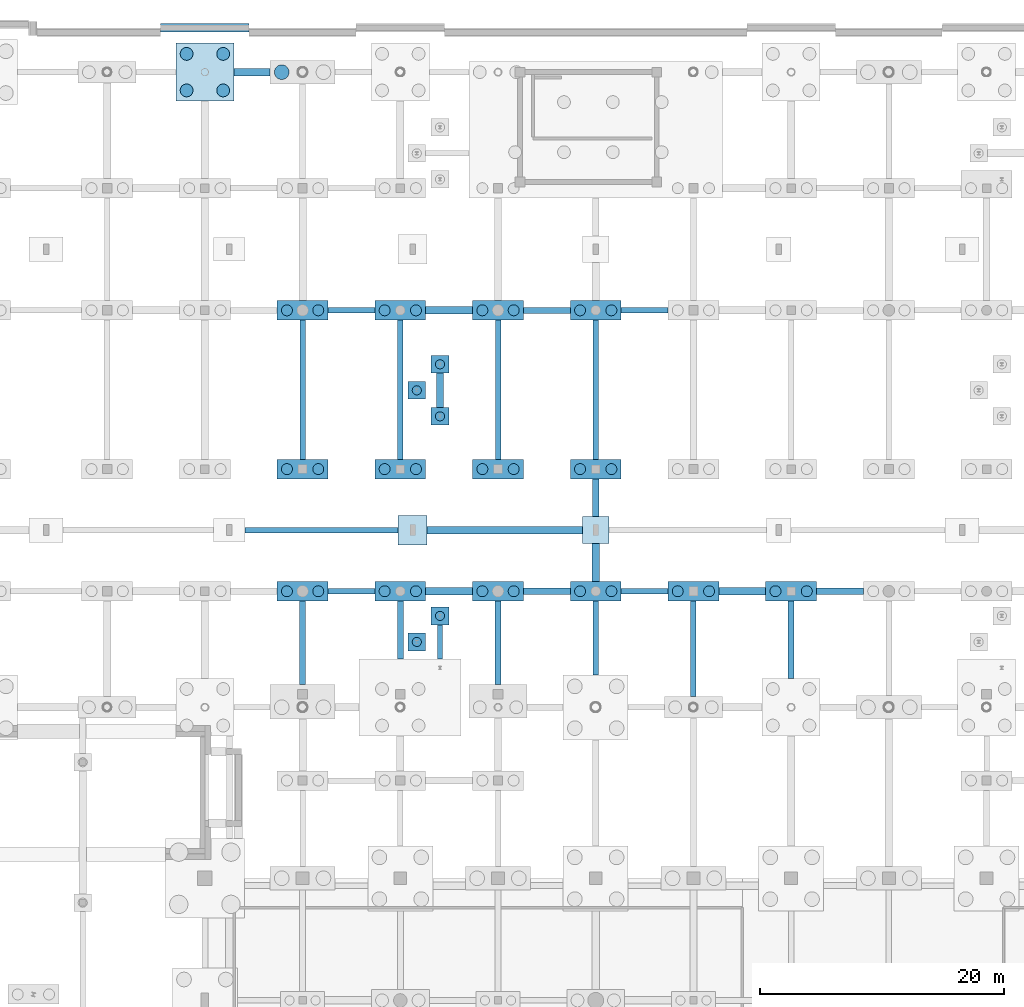
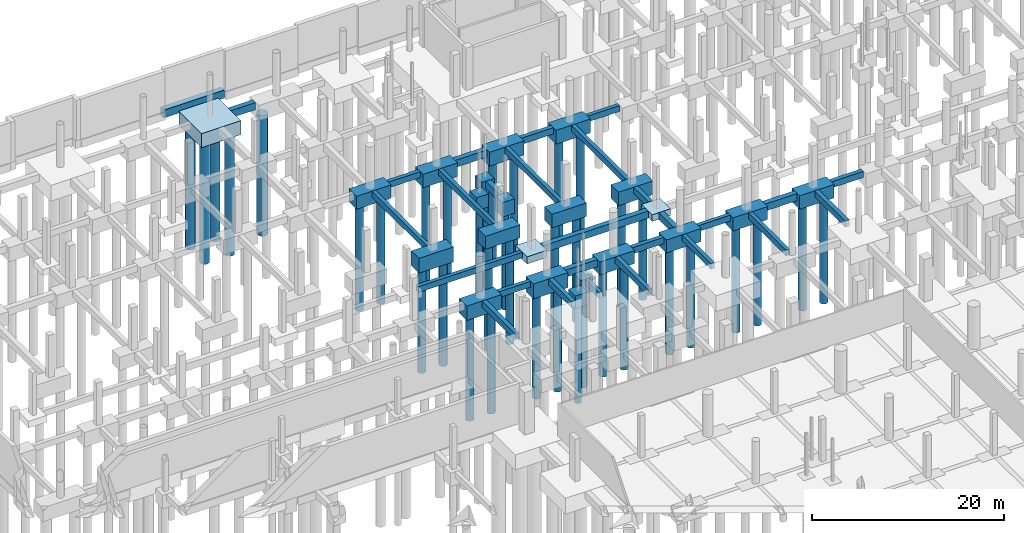
# One storey, part 14 of 65: 50 footings, 38 piles.
"""IFC4 building model written with IfcOpenShell, lengths in metres."""

from ifc_helpers import new_model, si_unit, direction, frame, origin, origin_2d, place, context, subcontext, project, spatial, rectangle, circle, extrude, material, material_profile, profile_set, type_object, element, save


model = new_model("IFC4")

# Units and contexts
model_context = context("Model", 3, precision=1e-05, world=origin(), true_north=direction((0.0, 1.0)))
body_context = subcontext(model_context, "Body", "Model", "MODEL_VIEW")
ifc_project = project(units=[si_unit("LENGTHUNIT", "METRE"), si_unit("AREAUNIT", "SQUARE_METRE"), si_unit("VOLUMEUNIT", "CUBIC_METRE"), si_unit("PLANEANGLEUNIT", "RADIAN"), si_unit("MASSUNIT", "GRAM", prefix="KILO")], contexts=[model_context])

# Site, building, storey
site_placement = place(None, origin())
site = spatial("IfcSite", under=ifc_project, at=site_placement, CompositionType="ELEMENT")
building_placement = place(site_placement, origin())
building = spatial("IfcBuilding", under=site, at=building_placement, Name="Khorjan Park Terminus", CompositionType="ELEMENT")
storey_placement = place(building_placement, frame((0.0, 0.0, -5.4)))
storey = spatial("IfcBuildingStorey", under=building, at=storey_placement, Name="B1", CompositionType="ELEMENT", Elevation=-5.4)

# Footings
ifc_material = material(Name="Concrete C40/50", Category="concrete")
ifc_material_profile_1 = material_profile(ifc_material, rectangle(XDim=0.45, YDim=0.75, at=origin_2d()), Name="RC 450x750")
ifc_profile_set_1 = profile_set([ifc_material_profile_1], Name="Concrete C40/50")
footing_type_1 = type_object("IfcFootingType", Name="FTG-GB-450x750", PredefinedType="FOOTING_BEAM", material=ifc_profile_set_1)
footing_1_placement = place(storey_placement, frame((58.083, 111.5, -0.375), z_axis=(1.0, 0.0, 0.0), x_axis=(0.0, 1.0, 0.0)))
element("IfcFooting", 1, at=footing_1_placement, inside=storey, type_object=footing_type_1, Name="Reinforced concrete ground tie beam FB-07 (113)", PredefinedType="FOOTING_BEAM", context=body_context, shape_type="SweptSolid", body=[
    extrude(rectangle(XDim=0.45, YDim=0.75, at=origin_2d()), origin(), (0.0, 0.0, 1.0), 3.834),
])
footing_2_placement = place(storey_placement, frame((82.082, 111.5, -0.375), z_axis=(1.0, 0.0, 0.0), x_axis=(0.0, 1.0, 0.0)))
element("IfcFooting", 2, at=footing_2_placement, inside=storey, type_object=footing_type_1, Name="Reinforced concrete ground tie beam FB-07 (116)", PredefinedType="FOOTING_BEAM", context=body_context, shape_type="SweptSolid", body=[
    extrude(rectangle(XDim=0.45, YDim=0.75, at=origin_2d()), origin(), (0.0, 0.0, 1.0), 3.836),
])
footing_3_placement = place(storey_placement, frame((51.3, 116.5, -0.375), z_axis=(1.0, 0.0, 0.0), x_axis=(0.0, 1.0, 0.0)))
element("IfcFooting", 3, at=footing_3_placement, inside=storey, type_object=footing_type_1, Name="Reinforced concrete ground tie beam FB-07 (128)", PredefinedType="FOOTING_BEAM", context=body_context, shape_type="SweptSolid", body=[
    extrude(rectangle(XDim=0.45, YDim=0.75, at=origin_2d()), origin(), (0.0, 0.0, 1.0), 12.5),
])
footing_4_placement = place(storey_placement, frame((58.083, 134.5, -0.375), z_axis=(1.0, 0.0, 0.0), x_axis=(0.0, 1.0, 0.0)))
element("IfcFooting", 4, at=footing_4_placement, inside=storey, type_object=footing_type_1, Name="Reinforced concrete ground tie beam FB-07 (140)", PredefinedType="FOOTING_BEAM", context=body_context, shape_type="SweptSolid", body=[
    extrude(rectangle(XDim=0.45, YDim=0.75, at=origin_2d()), origin(), (0.0, 0.0, 1.0), 3.834),
])
footing_5_placement = place(storey_placement, frame((82.082, 134.5, -0.375), z_axis=(1.0, 0.0, 0.0), x_axis=(0.0, 1.0, 0.0)))
element("IfcFooting", 5, at=footing_5_placement, inside=storey, type_object=footing_type_1, Name="Reinforced concrete ground tie beam FB-07 (143)", PredefinedType="FOOTING_BEAM", context=body_context, shape_type="SweptSolid", body=[
    extrude(rectangle(XDim=0.45, YDim=0.75, at=origin_2d()), origin(), (0.0, 0.0, 1.0), 3.836),
])
for number, where, z_axis, x_axis, name in (
    (6, (56.0, 122.3, -0.375), (0.0, 1.0, 0.0), (-1.0, 0.0, 0.0), "Reinforced concrete ground tie beam FB-07 (251)"),
    (7, (64.0, 122.3, -0.375), (0.0, 1.0, 0.0), (-1.0, 0.0, 0.0), "Reinforced concrete ground tie beam FB-07 (269)"),
):
    element("IfcFooting", number, at=place(storey_placement, frame(where, z_axis=z_axis, x_axis=x_axis)), inside=storey, type_object=footing_type_1, Name=name, PredefinedType="FOOTING_BEAM", context=body_context, shape_type="SweptSolid", body=[
        extrude(rectangle(XDim=0.45, YDim=0.75, at=origin_2d()), origin(), (0.0, 0.0, 1.0), 11.4),
    ])
footing_6_placement = place(storey_placement, frame((67.25, 105.945, -0.375), z_axis=(0.0, 1.0, 0.0), x_axis=(-1.0, 0.0, 0.0)))
element("IfcFooting", 8, at=footing_6_placement, inside=storey, type_object=footing_type_1, Name="Reinforced concrete ground tie beam FB-07 (272)", PredefinedType="FOOTING_BEAM", context=body_context, shape_type="SweptSolid", body=[
    extrude(rectangle(XDim=0.45, YDim=0.75, at=origin_2d()), origin(), (0.0, 0.0, 1.0), 2.81),
])
footing_7_placement = place(storey_placement, frame((72.0, 122.3, -0.375), z_axis=(0.0, 1.0, 0.0), x_axis=(-1.0, 0.0, 0.0)))
element("IfcFooting", 9, at=footing_7_placement, inside=storey, type_object=footing_type_1, Name="Reinforced concrete ground tie beam FB-07 (281)", PredefinedType="FOOTING_BEAM", context=body_context, shape_type="SweptSolid", body=[
    extrude(rectangle(XDim=0.45, YDim=0.75, at=origin_2d()), origin(), (0.0, 0.0, 1.0), 11.4),
])
footing_8_placement = place(storey_placement, frame((80.0, 104.66, -0.375), z_axis=(0.0, 1.0, 0.0), x_axis=(-1.0, 0.0, 0.0)))
element("IfcFooting", 10, at=footing_8_placement, inside=storey, type_object=footing_type_1, Name="Reinforced concrete ground tie beam FB-07 (296)", PredefinedType="FOOTING_BEAM", context=body_context, shape_type="SweptSolid", body=[
    extrude(rectangle(XDim=0.45, YDim=0.75, at=origin_2d()), origin(), (0.0, 0.0, 1.0), 6.04),
])
footing_9_placement = place(storey_placement, frame((80.0, 122.3, -0.375), z_axis=(0.0, 1.0, 0.0), x_axis=(-1.0, 0.0, 0.0)))
element("IfcFooting", 11, at=footing_9_placement, inside=storey, type_object=footing_type_1, Name="Reinforced concrete ground tie beam FB-07 (299)", PredefinedType="FOOTING_BEAM", context=body_context, shape_type="SweptSolid", body=[
    extrude(rectangle(XDim=0.45, YDim=0.75, at=origin_2d()), origin(), (0.0, 0.0, 1.0), 11.4),
])
footing_10_placement = place(storey_placement, frame((88.0, 102.875, -0.375), z_axis=(0.0, 1.0, 0.0), x_axis=(-1.0, 0.0, 0.0)))
element("IfcFooting", 12, at=footing_10_placement, inside=storey, type_object=footing_type_1, Name="Reinforced concrete ground tie beam FB-07 (311)", PredefinedType="FOOTING_BEAM", context=body_context, shape_type="SweptSolid", body=[
    extrude(rectangle(XDim=0.45, YDim=0.75, at=origin_2d()), origin(), (0.0, 0.0, 1.0), 7.825),
])
ifc_material_profile_2 = material_profile(ifc_material, rectangle(XDim=0.5, YDim=0.8, at=origin_2d()), Name="RC 500x800")
ifc_profile_set_2 = profile_set([ifc_material_profile_2], Name="Concrete C40/50")
footing_type_2 = type_object("IfcFootingType", Name="FTG-GB-500x800", PredefinedType="FOOTING_BEAM", material=ifc_profile_set_2)
for number, where, z_axis, x_axis, name in (
    (13, (74.082, 111.5, -0.4), (1.0, 0.0, 0.0), (0.0, 1.0, 0.0), "Reinforced concrete ground tie beam FB-08 (115)"),
    (14, (98.082, 111.5, -0.4), (1.0, 0.0, 0.0), (0.0, 1.0, 0.0), "Reinforced concrete ground tie beam FB-08 (118)"),
    (15, (74.082, 134.5, -0.4), (1.0, 0.0, 0.0), (0.0, 1.0, 0.0), "Reinforced concrete ground tie beam FB-08 (142)"),
):
    element("IfcFooting", number, at=place(storey_placement, frame(where, z_axis=z_axis, x_axis=x_axis)), inside=storey, type_object=footing_type_2, Name=name, PredefinedType="FOOTING_BEAM", context=body_context, shape_type="SweptSolid", body=[
        extrude(rectangle(XDim=0.5, YDim=0.8, at=origin_2d()), origin(), (0.0, 0.0, 1.0), 3.836),
    ])
footing_11_placement = place(storey_placement, frame((56.0, 103.86, -0.4), z_axis=(0.0, 1.0, 0.0), x_axis=(-1.0, 0.0, 0.0)))
element("IfcFooting", 16, at=footing_11_placement, inside=storey, type_object=footing_type_2, Name="Reinforced concrete ground tie beam FB-08 (250)", PredefinedType="FOOTING_BEAM", context=body_context, shape_type="SweptSolid", body=[
    extrude(rectangle(XDim=0.5, YDim=0.8, at=origin_2d()), origin(), (0.0, 0.0, 1.0), 6.84),
])
footing_12_placement = place(storey_placement, frame((64.0, 105.945, -0.4), z_axis=(0.0, 1.0, 0.0), x_axis=(-1.0, 0.0, 0.0)))
element("IfcFooting", 17, at=footing_12_placement, inside=storey, type_object=footing_type_2, Name="Reinforced concrete ground tie beam FB-08 (268)", PredefinedType="FOOTING_BEAM", context=body_context, shape_type="SweptSolid", body=[
    extrude(rectangle(XDim=0.5, YDim=0.8, at=origin_2d()), origin(), (0.0, 0.0, 1.0), 4.755),
])
footing_13_placement = place(storey_placement, frame((72.0, 103.86, -0.4), z_axis=(0.0, 1.0, 0.0), x_axis=(-1.0, 0.0, 0.0)))
element("IfcFooting", 18, at=footing_13_placement, inside=storey, type_object=footing_type_2, Name="Reinforced concrete ground tie beam FB-08 (280)", PredefinedType="FOOTING_BEAM", context=body_context, shape_type="SweptSolid", body=[
    extrude(rectangle(XDim=0.5, YDim=0.8, at=origin_2d()), origin(), (0.0, 0.0, 1.0), 6.84),
])
footing_14_placement = place(storey_placement, frame((80.0, 117.6, -0.4), z_axis=(0.0, 1.0, 0.0), x_axis=(-1.0, 0.0, 0.0)))
element("IfcFooting", 19, at=footing_14_placement, inside=storey, type_object=footing_type_2, Name="Reinforced concrete ground tie beam FB-08 (298)", PredefinedType="FOOTING_BEAM", context=body_context, shape_type="SweptSolid", body=[
    extrude(rectangle(XDim=0.5, YDim=0.8, at=origin_2d()), origin(), (0.0, 0.0, 1.0), 3.1),
])
footing_15_placement = place(storey_placement, frame((96.0, 104.371, -0.4), z_axis=(0.0, 1.0, 0.0), x_axis=(-1.0, 0.0, 0.0)))
element("IfcFooting", 20, at=footing_15_placement, inside=storey, type_object=footing_type_2, Name="Reinforced concrete ground tie beam FB-08 (325)", PredefinedType="FOOTING_BEAM", context=body_context, shape_type="SweptSolid", body=[
    extrude(rectangle(XDim=0.5, YDim=0.8, at=origin_2d()), origin(), (0.0, 0.0, 1.0), 6.329),
])
ifc_material_profile_3 = material_profile(ifc_material, rectangle(XDim=0.6, YDim=0.9, at=origin_2d()), Name="RC 600x900")
ifc_profile_set_3 = profile_set([ifc_material_profile_3], Name="Concrete C40/50")
footing_type_3 = type_object("IfcFootingType", Name="FTG-GB-600x900", PredefinedType="FOOTING_BEAM", material=ifc_profile_set_3)
for number, where, z_axis, x_axis, name in (
    (21, (66.082, 111.5, -0.45), (1.0, 0.0, 0.0), (0.0, 1.0, 0.0), "Reinforced concrete ground tie beam FB-09 (114)"),
    (22, (90.082, 111.5, -0.45), (1.0, 0.0, 0.0), (0.0, 1.0, 0.0), "Reinforced concrete ground tie beam FB-09 (117)"),
):
    element("IfcFooting", number, at=place(storey_placement, frame(where, z_axis=z_axis, x_axis=x_axis)), inside=storey, type_object=footing_type_3, Name=name, PredefinedType="FOOTING_BEAM", context=body_context, shape_type="SweptSolid", body=[
        extrude(rectangle(XDim=0.6, YDim=0.9, at=origin_2d()), origin(), (0.0, 0.0, 1.0), 3.836),
    ])
footing_16_placement = place(storey_placement, frame((66.2, 116.5, -0.45), z_axis=(1.0, 0.0, 0.0), x_axis=(0.0, 1.0, 0.0)))
element("IfcFooting", 23, at=footing_16_placement, inside=storey, type_object=footing_type_3, Name="Reinforced concrete ground tie beam FB-09 (129)", PredefinedType="FOOTING_BEAM", context=body_context, shape_type="SweptSolid", body=[
    extrude(rectangle(XDim=0.6, YDim=0.9, at=origin_2d()), origin(), (0.0, 0.0, 1.0), 12.7),
])
footing_17_placement = place(storey_placement, frame((66.082, 134.5, -0.45), z_axis=(1.0, 0.0, 0.0), x_axis=(0.0, 1.0, 0.0)))
element("IfcFooting", 24, at=footing_17_placement, inside=storey, type_object=footing_type_3, Name="Reinforced concrete ground tie beam FB-09 (141)", PredefinedType="FOOTING_BEAM", context=body_context, shape_type="SweptSolid", body=[
    extrude(rectangle(XDim=0.6, YDim=0.9, at=origin_2d()), origin(), (0.0, 0.0, 1.0), 3.836),
])
footing_18_placement = place(storey_placement, frame((50.371, 154.0, -0.45), z_axis=(1.0, 0.0, 0.0), x_axis=(0.0, 1.0, 0.0)))
element("IfcFooting", 25, at=footing_18_placement, inside=storey, type_object=footing_type_3, Name="Reinforced concrete ground tie beam FB-09 (171)", PredefinedType="FOOTING_BEAM", context=body_context, shape_type="SweptSolid", body=[
    extrude(rectangle(XDim=0.6, YDim=0.9, at=origin_2d()), origin(), (0.0, 0.0, 1.0), 2.969),
])
footing_19_placement = place(storey_placement, frame((67.25, 126.545, -0.45), z_axis=(0.0, 1.0, 0.0), x_axis=(-1.0, 0.0, 0.0)))
element("IfcFooting", 26, at=footing_19_placement, inside=storey, type_object=footing_type_3, Name="Reinforced concrete ground tie beam FB-09 (273)", PredefinedType="FOOTING_BEAM", context=body_context, shape_type="SweptSolid", body=[
    extrude(rectangle(XDim=0.6, YDim=0.9, at=origin_2d()), origin(), (0.0, 0.0, 1.0), 2.81),
])
footing_20_placement = place(storey_placement, frame((80.0, 112.3, -0.45), z_axis=(0.0, 1.0, 0.0), x_axis=(-1.0, 0.0, 0.0)))
element("IfcFooting", 27, at=footing_20_placement, inside=storey, type_object=footing_type_3, Name="Reinforced concrete ground tie beam FB-09 (297)", PredefinedType="FOOTING_BEAM", context=body_context, shape_type="SweptSolid", body=[
    extrude(rectangle(XDim=0.6, YDim=0.9, at=origin_2d()), origin(), (0.0, 0.0, 1.0), 3.1),
])
footing_type_4 = type_object("IfcFootingType", Name="FTG-PAD-2200", PredefinedType="PAD_FOOTING", material=ifc_material)
footing_21_placement = place(storey_placement, frame((80.0, 116.5, -0.85), z_axis=(0.0, 0.0, 1.0), x_axis=(1.0, 0.0, 0.0)))
element("IfcFooting", 28, at=footing_21_placement, inside=storey, type_object=footing_type_4, Name="Reinforced concrete pad footing PF-22 (6)", PredefinedType="PAD_FOOTING", context=body_context, shape_type="SweptSolid", body=[
    extrude(rectangle(XDim=2.2, YDim=2.2, at=origin_2d()), origin(), (0.0, 0.0, 1.0), 0.85),
])
footing_type_5 = type_object("IfcFootingType", Name="FTG-PAD-2400", PredefinedType="PAD_FOOTING", material=ifc_material)
footing_22_placement = place(storey_placement, frame((65.0, 116.5, -0.9), z_axis=(0.0, 0.0, 1.0), x_axis=(1.0, 0.0, 0.0)))
element("IfcFooting", 29, at=footing_22_placement, inside=storey, type_object=footing_type_5, Name="Reinforced concrete pad footing PF-24 (5)", PredefinedType="PAD_FOOTING", context=body_context, shape_type="SweptSolid", body=[
    extrude(rectangle(XDim=2.4, YDim=2.4, at=origin_2d()), origin(), (0.0, 0.0, 1.0), 0.9),
])
footing_type_6 = type_object("IfcFootingType", Name="FTG-PC-02", PredefinedType="PILE_CAP", material=ifc_material)
footing_23_placement = place(storey_placement, frame((56.0, 121.5, -1.9), z_axis=(0.0, 0.0, 1.0), x_axis=(1.0, 0.0, 0.0)))
element("IfcFooting", 30, at=footing_23_placement, inside=storey, type_object=footing_type_6, Name="Reinforced concrete pile cap PC-02 (89)", PredefinedType="PILE_CAP", context=body_context, shape_type="SweptSolid", body=[
    extrude(rectangle(XDim=4.166, YDim=1.6, at=origin_2d()), origin(), (0.0, 0.0, 1.0), 1.9),
])
footing_24_placement = place(storey_placement, frame((63.9995, 111.5, -1.9), z_axis=(0.0, 0.0, 1.0), x_axis=(1.0, 0.0, 0.0)))
element("IfcFooting", 31, at=footing_24_placement, inside=storey, type_object=footing_type_6, Name="Reinforced concrete pile cap PC-02 (110)", PredefinedType="PILE_CAP", context=body_context, shape_type="SweptSolid", body=[
    extrude(rectangle(XDim=4.165, YDim=1.6, at=origin_2d()), origin(), (0.0, 0.0, 1.0), 1.9),
])
footing_type_7 = type_object("IfcFootingType", Name="FTG-PC-06", PredefinedType="PILE_CAP", material=ifc_material)
footing_25_placement = place(storey_placement, frame((56.0, 111.5, -1.84), z_axis=(0.0, 0.0, 1.0), x_axis=(1.0, 0.0, 0.0)))
element("IfcFooting", 32, at=footing_25_placement, inside=storey, type_object=footing_type_7, Name="Reinforced concrete pile cap PC-06 (88)", PredefinedType="PILE_CAP", context=body_context, shape_type="SweptSolid", body=[
    extrude(rectangle(XDim=4.166, YDim=1.6, at=origin_2d()), origin(), (0.0, 0.0, 1.0), 1.84),
])
footing_type_8 = type_object("IfcFootingType", Name="FTG-PC-07", PredefinedType="PILE_CAP", material=ifc_material)
footing_26_placement = place(storey_placement, frame((56.0, 134.5, -1.66), z_axis=(0.0, 0.0, 1.0), x_axis=(1.0, 0.0, 0.0)))
element("IfcFooting", 33, at=footing_26_placement, inside=storey, type_object=footing_type_8, Name="Reinforced concrete pile cap PC-07 (90)", PredefinedType="PILE_CAP", context=body_context, shape_type="SweptSolid", body=[
    extrude(rectangle(XDim=4.166, YDim=1.6, at=origin_2d()), origin(), (0.0, 0.0, 1.0), 1.66),
])
footing_27_placement = place(storey_placement, frame((63.9995, 121.5, -1.66), z_axis=(0.0, 0.0, 1.0), x_axis=(1.0, 0.0, 0.0)))
element("IfcFooting", 34, at=footing_27_placement, inside=storey, type_object=footing_type_8, Name="Reinforced concrete pile cap PC-07 (111)", PredefinedType="PILE_CAP", context=body_context, shape_type="SweptSolid", body=[
    extrude(rectangle(XDim=4.165, YDim=1.6, at=origin_2d()), origin(), (0.0, 0.0, 1.0), 1.66),
])
footing_type_9 = type_object("IfcFootingType", Name="FTG-PC-08", PredefinedType="PILE_CAP", material=ifc_material)
footing_28_placement = place(storey_placement, frame((63.9995, 134.5, -1.72), z_axis=(0.0, 0.0, 1.0), x_axis=(1.0, 0.0, 0.0)))
element("IfcFooting", 35, at=footing_28_placement, inside=storey, type_object=footing_type_9, Name="Reinforced concrete pile cap PC-08 (112)", PredefinedType="PILE_CAP", context=body_context, shape_type="SweptSolid", body=[
    extrude(rectangle(XDim=4.165, YDim=1.6, at=origin_2d()), origin(), (0.0, 0.0, 1.0), 1.72),
])
footing_type_10 = type_object("IfcFootingType", Name="FTG-PC-13", PredefinedType="PILE_CAP", material=ifc_material)
for number, where, z_axis, x_axis, name in (
    (36, (72.0, 111.5, -1.66), (0.0, 0.0, 1.0), (1.0, 0.0, 0.0), "Reinforced concrete pile cap PC-13 (133)"),
    (37, (80.0, 111.5, -1.66), (0.0, 0.0, 1.0), (1.0, 0.0, 0.0), "Reinforced concrete pile cap PC-13 (152)"),
    (38, (88.0, 111.5, -1.66), (0.0, 0.0, 1.0), (1.0, 0.0, 0.0), "Reinforced concrete pile cap PC-13 (167)"),
):
    element("IfcFooting", number, at=place(storey_placement, frame(where, z_axis=z_axis, x_axis=x_axis)), inside=storey, type_object=footing_type_10, Name=name, PredefinedType="PILE_CAP", context=body_context, shape_type="SweptSolid", body=[
        extrude(rectangle(XDim=4.164, YDim=1.6, at=origin_2d()), origin(), (0.0, 0.0, 1.0), 1.66),
    ])
footing_type_11 = type_object("IfcFootingType", Name="FTG-PC-14", PredefinedType="PILE_CAP", material=ifc_material)
for number, where, z_axis, x_axis, name in (
    (39, (72.0, 121.5, -1.72), (0.0, 0.0, 1.0), (1.0, 0.0, 0.0), "Reinforced concrete pile cap PC-14 (134)"),
    (40, (80.0, 121.5, -1.72), (0.0, 0.0, 1.0), (1.0, 0.0, 0.0), "Reinforced concrete pile cap PC-14 (153)"),
    (41, (96.0, 111.5, -1.72), (0.0, 0.0, 1.0), (1.0, 0.0, 0.0), "Reinforced concrete pile cap PC-14 (185)"),
):
    element("IfcFooting", number, at=place(storey_placement, frame(where, z_axis=z_axis, x_axis=x_axis)), inside=storey, type_object=footing_type_11, Name=name, PredefinedType="PILE_CAP", context=body_context, shape_type="SweptSolid", body=[
        extrude(rectangle(XDim=4.164, YDim=1.6, at=origin_2d()), origin(), (0.0, 0.0, 1.0), 1.72),
    ])
footing_type_12 = type_object("IfcFootingType", Name="FTG-PC-15", PredefinedType="PILE_CAP", material=ifc_material)
for number, where, z_axis, x_axis, name in (
    (42, (65.35, 107.35, -1.6), (0.0, 0.0, 1.0), (1.0, 0.0, 0.0), "Reinforced concrete pile cap PC-15 (118)"),
    (43, (67.25, 130.08, -1.6), (0.0, 0.0, 1.0), (1.0, 0.0, 0.0), "Reinforced concrete pile cap PC-15 (123)"),
):
    element("IfcFooting", number, at=place(storey_placement, frame(where, z_axis=z_axis, x_axis=x_axis)), inside=storey, type_object=footing_type_12, Name=name, PredefinedType="PILE_CAP", context=body_context, shape_type="SweptSolid", body=[
        extrude(rectangle(XDim=1.45, YDim=1.45, at=origin_2d()), origin(), (0.0, 0.0, 1.0), 1.6),
    ])
footing_type_13 = type_object("IfcFootingType", Name="FTG-PC-16", PredefinedType="PILE_CAP", material=ifc_material)
footing_29_placement = place(storey_placement, frame((65.35, 127.95, -1.66), z_axis=(0.0, 0.0, 1.0), x_axis=(1.0, 0.0, 0.0)))
element("IfcFooting", 44, at=footing_29_placement, inside=storey, type_object=footing_type_13, Name="Reinforced concrete pile cap PC-16 (119)", PredefinedType="PILE_CAP", context=body_context, shape_type="SweptSolid", body=[
    extrude(rectangle(XDim=1.45, YDim=1.45, at=origin_2d()), origin(), (0.0, 0.0, 1.0), 1.66),
])
footing_type_14 = type_object("IfcFootingType", Name="FTG-PC-18", PredefinedType="PILE_CAP", material=ifc_material)
for number, where, z_axis, x_axis, name in (
    (45, (72.0, 134.5, -1.78), (0.0, 0.0, 1.0), (1.0, 0.0, 0.0), "Reinforced concrete pile cap PC-18 (135)"),
    (46, (80.0, 134.5, -1.78), (0.0, 0.0, 1.0), (1.0, 0.0, 0.0), "Reinforced concrete pile cap PC-18 (154)"),
):
    element("IfcFooting", number, at=place(storey_placement, frame(where, z_axis=z_axis, x_axis=x_axis)), inside=storey, type_object=footing_type_14, Name=name, PredefinedType="PILE_CAP", context=body_context, shape_type="SweptSolid", body=[
        extrude(rectangle(XDim=4.164, YDim=1.6, at=origin_2d()), origin(), (0.0, 0.0, 1.0), 1.78),
    ])
footing_type_15 = type_object("IfcFootingType", Name="FTG-PC-21", PredefinedType="PILE_CAP", material=ifc_material)
for number, where, z_axis, x_axis, name in (
    (47, (67.25, 109.48, -1.84), (0.0, 0.0, 1.0), (1.0, 0.0, 0.0), "Reinforced concrete pile cap PC-21 (121)"),
    (48, (67.25, 125.82, -1.84), (0.0, 0.0, 1.0), (1.0, 0.0, 0.0), "Reinforced concrete pile cap PC-21 (122)"),
):
    element("IfcFooting", number, at=place(storey_placement, frame(where, z_axis=z_axis, x_axis=x_axis)), inside=storey, type_object=footing_type_15, Name=name, PredefinedType="PILE_CAP", context=body_context, shape_type="SweptSolid", body=[
        extrude(rectangle(XDim=1.45, YDim=1.45, at=origin_2d()), origin(), (0.0, 0.0, 1.0), 1.84),
    ])
footing_type_16 = type_object("IfcFootingType", Name="FTG-PC-33", PredefinedType="PILE_CAP", material=ifc_material)
footing_30_placement = place(storey_placement, frame((48.0, 154.0, -1.78), z_axis=(0.0, 0.0, 1.0), x_axis=(1.0, 0.0, 0.0)))
element("IfcFooting", 49, at=footing_30_placement, inside=storey, type_object=footing_type_16, Name="Reinforced concrete pile cap PC-33 (73)", PredefinedType="PILE_CAP", context=body_context, shape_type="SweptSolid", body=[
    extrude(rectangle(XDim=4.742, YDim=4.742, at=origin_2d()), origin(), (0.0, 0.0, 1.0), 1.78),
])
ifc_material_profile_4 = material_profile(ifc_material, rectangle(XDim=0.7, YDim=1.0, at=origin_2d()), Name="RC 700x1000")
ifc_profile_set_4 = profile_set([ifc_material_profile_4], Name="Concrete C40/50")
footing_type_17 = type_object("IfcFootingType", Name="FTG-SF-700x1000", PredefinedType="STRIP_FOOTING", material=ifc_profile_set_4)
footing_31_placement = place(storey_placement, frame((44.372, 157.631, -0.5), z_axis=(1.0, 0.0, 0.0), x_axis=(0.0, 1.0, 0.0)))
element("IfcFooting", 50, at=footing_31_placement, inside=storey, type_object=footing_type_17, Name="Reinforced concrete wall strip footing SF-07 (73)", PredefinedType="STRIP_FOOTING", context=body_context, shape_type="SweptSolid", body=[
    extrude(rectangle(XDim=0.7, YDim=1.0, at=origin_2d()), origin(), (0.0, 0.0, 1.0), 7.256),
])

# Piles
ifc_material_profile_5 = material_profile(ifc_material, circle(Radius=0.525, at=origin_2d()), Name="BORED D1050")
ifc_profile_set_5 = profile_set([ifc_material_profile_5], Name="Concrete C40/50")
pile_type_1 = type_object("IfcPileType", Name="PL-D1050", PredefinedType="BORED", material=ifc_profile_set_5)
for number, where, z_axis, x_axis, name in (
    (51, (46.5035, 152.5035, -1.68), (0.0, 0.0, -1.0), (1.0, 0.0, 0.0), "Bored rock-socketed pile PL-105 (184)"),
    (52, (46.5035, 155.4965, -1.68), (0.0, 0.0, -1.0), (1.0, 0.0, 0.0), "Bored rock-socketed pile PL-105 (185)"),
    (53, (49.4965, 152.5035, -1.68), (0.0, 0.0, -1.0), (1.0, 0.0, 0.0), "Bored rock-socketed pile PL-105 (186)"),
    (54, (49.4965, 155.4965, -1.68), (0.0, 0.0, -1.0), (1.0, 0.0, 0.0), "Bored rock-socketed pile PL-105 (187)"),
):
    element("IfcPile", number, at=place(storey_placement, frame(where, z_axis=z_axis, x_axis=x_axis)), inside=storey, type_object=pile_type_1, Name=name, PredefinedType="BORED", context=body_context, shape_type="SweptSolid", body=[
        extrude(circle(Radius=0.525, at=origin_2d()), origin(), (0.0, 0.0, 1.0), 15.42),
    ])
ifc_material_profile_6 = material_profile(ifc_material, circle(Radius=0.6, at=origin_2d()), Name="BORED D1200")
ifc_profile_set_6 = profile_set([ifc_material_profile_6], Name="Concrete C40/50")
pile_type_2 = type_object("IfcPileType", Name="PL-D1200", PredefinedType="BORED", material=ifc_profile_set_6)
pile_1_placement = place(storey_placement, frame((54.29, 154.0, -1.8), z_axis=(0.0, 0.0, -1.0), x_axis=(1.0, 0.0, 0.0)))
element("IfcPile", 55, at=pile_1_placement, inside=storey, type_object=pile_type_2, Name="Bored rock-socketed pile PL-120 (208)", PredefinedType="BORED", context=body_context, shape_type="SweptSolid", body=[
    extrude(circle(Radius=0.6, at=origin_2d()), origin(), (0.0, 0.0, 1.0), 15.3),
])
ifc_material_profile_7 = material_profile(ifc_material, circle(Radius=0.375, at=origin_2d()), Name="BORED D750")
ifc_profile_set_7 = profile_set([ifc_material_profile_7], Name="Concrete C40/50")
pile_type_3 = type_object("IfcPileType", Name="PL-D750", PredefinedType="BORED", material=ifc_profile_set_7)
pile_2_placement = place(storey_placement, frame((65.35, 107.35, -1.5), z_axis=(0.0, 0.0, -1.0), x_axis=(1.0, 0.0, 0.0)))
element("IfcPile", 56, at=pile_2_placement, inside=storey, type_object=pile_type_3, Name="Bored rock-socketed pile PL-75 (272)", PredefinedType="BORED", context=body_context, shape_type="SweptSolid", body=[
    extrude(circle(Radius=0.375, at=origin_2d()), origin(), (0.0, 0.0, 1.0), 12.6),
])
pile_3_placement = place(storey_placement, frame((65.35, 127.95, -1.56), z_axis=(0.0, 0.0, -1.0), x_axis=(1.0, 0.0, 0.0)))
element("IfcPile", 57, at=pile_3_placement, inside=storey, type_object=pile_type_3, Name="Bored rock-socketed pile PL-75 (273)", PredefinedType="BORED", context=body_context, shape_type="SweptSolid", body=[
    extrude(circle(Radius=0.375, at=origin_2d()), origin(), (0.0, 0.0, 1.0), 12.54),
])
for number, where, z_axis, x_axis, name in (
    (58, (67.25, 109.48, -1.74), (0.0, 0.0, -1.0), (1.0, 0.0, 0.0), "Bored rock-socketed pile PL-75 (275)"),
    (59, (67.25, 125.82, -1.74), (0.0, 0.0, -1.0), (1.0, 0.0, 0.0), "Bored rock-socketed pile PL-75 (276)"),
):
    element("IfcPile", number, at=place(storey_placement, frame(where, z_axis=z_axis, x_axis=x_axis)), inside=storey, type_object=pile_type_3, Name=name, PredefinedType="BORED", context=body_context, shape_type="SweptSolid", body=[
        extrude(circle(Radius=0.375, at=origin_2d()), origin(), (0.0, 0.0, 1.0), 12.36),
    ])
pile_4_placement = place(storey_placement, frame((67.25, 130.08, -1.5), z_axis=(0.0, 0.0, -1.0), x_axis=(1.0, 0.0, 0.0)))
element("IfcPile", 60, at=pile_4_placement, inside=storey, type_object=pile_type_3, Name="Bored rock-socketed pile PL-75 (277)", PredefinedType="BORED", context=body_context, shape_type="SweptSolid", body=[
    extrude(circle(Radius=0.375, at=origin_2d()), origin(), (0.0, 0.0, 1.0), 12.6),
])
ifc_material_profile_8 = material_profile(ifc_material, circle(Radius=0.45, at=origin_2d()), Name="BORED D900")
ifc_profile_set_8 = profile_set([ifc_material_profile_8], Name="Concrete C40/50")
pile_type_4 = type_object("IfcPileType", Name="PL-D900", PredefinedType="BORED", material=ifc_profile_set_8)
for number, where, z_axis, x_axis, name in (
    (61, (54.7175, 111.5, -1.74), (0.0, 0.0, -1.0), (1.0, 0.0, 0.0), "Bored rock-socketed pile PL-90 (212)"),
    (62, (57.2825, 111.5, -1.74), (0.0, 0.0, -1.0), (1.0, 0.0, 0.0), "Bored rock-socketed pile PL-90 (213)"),
):
    element("IfcPile", number, at=place(storey_placement, frame(where, z_axis=z_axis, x_axis=x_axis)), inside=storey, type_object=pile_type_4, Name=name, PredefinedType="BORED", context=body_context, shape_type="SweptSolid", body=[
        extrude(circle(Radius=0.45, at=origin_2d()), origin(), (0.0, 0.0, 1.0), 13.36),
    ])
for number, where, z_axis, x_axis, name in (
    (63, (54.7175, 121.5, -1.8), (0.0, 0.0, -1.0), (1.0, 0.0, 0.0), "Bored rock-socketed pile PL-90 (214)"),
    (64, (57.2825, 121.5, -1.8), (0.0, 0.0, -1.0), (1.0, 0.0, 0.0), "Bored rock-socketed pile PL-90 (215)"),
):
    element("IfcPile", number, at=place(storey_placement, frame(where, z_axis=z_axis, x_axis=x_axis)), inside=storey, type_object=pile_type_4, Name=name, PredefinedType="BORED", context=body_context, shape_type="SweptSolid", body=[
        extrude(circle(Radius=0.45, at=origin_2d()), origin(), (0.0, 0.0, 1.0), 13.3),
    ])
for number, where, z_axis, x_axis, name in (
    (65, (54.7175, 134.5, -1.56), (0.0, 0.0, -1.0), (1.0, 0.0, 0.0), "Bored rock-socketed pile PL-90 (216)"),
    (66, (57.2825, 134.5, -1.56), (0.0, 0.0, -1.0), (1.0, 0.0, 0.0), "Bored rock-socketed pile PL-90 (217)"),
):
    element("IfcPile", number, at=place(storey_placement, frame(where, z_axis=z_axis, x_axis=x_axis)), inside=storey, type_object=pile_type_4, Name=name, PredefinedType="BORED", context=body_context, shape_type="SweptSolid", body=[
        extrude(circle(Radius=0.45, at=origin_2d()), origin(), (0.0, 0.0, 1.0), 13.54),
    ])
for number, where, z_axis, x_axis, name in (
    (67, (62.7175, 111.5, -1.8), (0.0, 0.0, -1.0), (1.0, 0.0, 0.0), "Bored rock-socketed pile PL-90 (260)"),
    (68, (65.2825, 111.5, -1.8), (0.0, 0.0, -1.0), (1.0, 0.0, 0.0), "Bored rock-socketed pile PL-90 (261)"),
):
    element("IfcPile", number, at=place(storey_placement, frame(where, z_axis=z_axis, x_axis=x_axis)), inside=storey, type_object=pile_type_4, Name=name, PredefinedType="BORED", context=body_context, shape_type="SweptSolid", body=[
        extrude(circle(Radius=0.45, at=origin_2d()), origin(), (0.0, 0.0, 1.0), 13.3),
    ])
for number, where, z_axis, x_axis, name in (
    (69, (62.7175, 121.5, -1.56), (0.0, 0.0, -1.0), (1.0, 0.0, 0.0), "Bored rock-socketed pile PL-90 (262)"),
    (70, (65.2825, 121.5, -1.56), (0.0, 0.0, -1.0), (1.0, 0.0, 0.0), "Bored rock-socketed pile PL-90 (263)"),
):
    element("IfcPile", number, at=place(storey_placement, frame(where, z_axis=z_axis, x_axis=x_axis)), inside=storey, type_object=pile_type_4, Name=name, PredefinedType="BORED", context=body_context, shape_type="SweptSolid", body=[
        extrude(circle(Radius=0.45, at=origin_2d()), origin(), (0.0, 0.0, 1.0), 13.54),
    ])
for number, where, z_axis, x_axis, name in (
    (71, (62.7175, 134.5, -1.62), (0.0, 0.0, -1.0), (1.0, 0.0, 0.0), "Bored rock-socketed pile PL-90 (264)"),
    (72, (65.2825, 134.5, -1.62), (0.0, 0.0, -1.0), (1.0, 0.0, 0.0), "Bored rock-socketed pile PL-90 (265)"),
):
    element("IfcPile", number, at=place(storey_placement, frame(where, z_axis=z_axis, x_axis=x_axis)), inside=storey, type_object=pile_type_4, Name=name, PredefinedType="BORED", context=body_context, shape_type="SweptSolid", body=[
        extrude(circle(Radius=0.45, at=origin_2d()), origin(), (0.0, 0.0, 1.0), 13.48),
    ])
for number, where, z_axis, x_axis, name in (
    (73, (70.7175, 111.5, -1.56), (0.0, 0.0, -1.0), (1.0, 0.0, 0.0), "Bored rock-socketed pile PL-90 (305)"),
    (74, (73.2825, 111.5, -1.56), (0.0, 0.0, -1.0), (1.0, 0.0, 0.0), "Bored rock-socketed pile PL-90 (306)"),
):
    element("IfcPile", number, at=place(storey_placement, frame(where, z_axis=z_axis, x_axis=x_axis)), inside=storey, type_object=pile_type_4, Name=name, PredefinedType="BORED", context=body_context, shape_type="SweptSolid", body=[
        extrude(circle(Radius=0.45, at=origin_2d()), origin(), (0.0, 0.0, 1.0), 13.54),
    ])
for number, where, z_axis, x_axis, name in (
    (75, (70.7175, 121.5, -1.62), (0.0, 0.0, -1.0), (1.0, 0.0, 0.0), "Bored rock-socketed pile PL-90 (307)"),
    (76, (73.2825, 121.5, -1.62), (0.0, 0.0, -1.0), (1.0, 0.0, 0.0), "Bored rock-socketed pile PL-90 (308)"),
):
    element("IfcPile", number, at=place(storey_placement, frame(where, z_axis=z_axis, x_axis=x_axis)), inside=storey, type_object=pile_type_4, Name=name, PredefinedType="BORED", context=body_context, shape_type="SweptSolid", body=[
        extrude(circle(Radius=0.45, at=origin_2d()), origin(), (0.0, 0.0, 1.0), 13.48),
    ])
for number, where, z_axis, x_axis, name in (
    (77, (70.7175, 134.5, -1.68), (0.0, 0.0, -1.0), (1.0, 0.0, 0.0), "Bored rock-socketed pile PL-90 (309)"),
    (78, (73.2825, 134.5, -1.68), (0.0, 0.0, -1.0), (1.0, 0.0, 0.0), "Bored rock-socketed pile PL-90 (310)"),
):
    element("IfcPile", number, at=place(storey_placement, frame(where, z_axis=z_axis, x_axis=x_axis)), inside=storey, type_object=pile_type_4, Name=name, PredefinedType="BORED", context=body_context, shape_type="SweptSolid", body=[
        extrude(circle(Radius=0.45, at=origin_2d()), origin(), (0.0, 0.0, 1.0), 13.42),
    ])
for number, where, z_axis, x_axis, name in (
    (79, (78.7175, 111.5, -1.56), (0.0, 0.0, -1.0), (1.0, 0.0, 0.0), "Bored rock-socketed pile PL-90 (346)"),
    (80, (81.2825, 111.5, -1.56), (0.0, 0.0, -1.0), (1.0, 0.0, 0.0), "Bored rock-socketed pile PL-90 (347)"),
):
    element("IfcPile", number, at=place(storey_placement, frame(where, z_axis=z_axis, x_axis=x_axis)), inside=storey, type_object=pile_type_4, Name=name, PredefinedType="BORED", context=body_context, shape_type="SweptSolid", body=[
        extrude(circle(Radius=0.45, at=origin_2d()), origin(), (0.0, 0.0, 1.0), 13.54),
    ])
for number, where, z_axis, x_axis, name in (
    (81, (78.7175, 121.5, -1.62), (0.0, 0.0, -1.0), (1.0, 0.0, 0.0), "Bored rock-socketed pile PL-90 (348)"),
    (82, (81.2825, 121.5, -1.62), (0.0, 0.0, -1.0), (1.0, 0.0, 0.0), "Bored rock-socketed pile PL-90 (349)"),
):
    element("IfcPile", number, at=place(storey_placement, frame(where, z_axis=z_axis, x_axis=x_axis)), inside=storey, type_object=pile_type_4, Name=name, PredefinedType="BORED", context=body_context, shape_type="SweptSolid", body=[
        extrude(circle(Radius=0.45, at=origin_2d()), origin(), (0.0, 0.0, 1.0), 13.48),
    ])
for number, where, z_axis, x_axis, name in (
    (83, (78.7175, 134.5, -1.68), (0.0, 0.0, -1.0), (1.0, 0.0, 0.0), "Bored rock-socketed pile PL-90 (350)"),
    (84, (81.2825, 134.5, -1.68), (0.0, 0.0, -1.0), (1.0, 0.0, 0.0), "Bored rock-socketed pile PL-90 (351)"),
):
    element("IfcPile", number, at=place(storey_placement, frame(where, z_axis=z_axis, x_axis=x_axis)), inside=storey, type_object=pile_type_4, Name=name, PredefinedType="BORED", context=body_context, shape_type="SweptSolid", body=[
        extrude(circle(Radius=0.45, at=origin_2d()), origin(), (0.0, 0.0, 1.0), 13.42),
    ])
for number, where, z_axis, x_axis, name in (
    (85, (86.7175, 111.5, -1.56), (0.0, 0.0, -1.0), (1.0, 0.0, 0.0), "Bored rock-socketed pile PL-90 (372)"),
    (86, (89.2825, 111.5, -1.56), (0.0, 0.0, -1.0), (1.0, 0.0, 0.0), "Bored rock-socketed pile PL-90 (373)"),
):
    element("IfcPile", number, at=place(storey_placement, frame(where, z_axis=z_axis, x_axis=x_axis)), inside=storey, type_object=pile_type_4, Name=name, PredefinedType="BORED", context=body_context, shape_type="SweptSolid", body=[
        extrude(circle(Radius=0.45, at=origin_2d()), origin(), (0.0, 0.0, 1.0), 13.54),
    ])
for number, where, z_axis, x_axis, name in (
    (87, (94.7175, 111.5, -1.62), (0.0, 0.0, -1.0), (1.0, 0.0, 0.0), "Bored rock-socketed pile PL-90 (416)"),
    (88, (97.2825, 111.5, -1.62), (0.0, 0.0, -1.0), (1.0, 0.0, 0.0), "Bored rock-socketed pile PL-90 (417)"),
):
    element("IfcPile", number, at=place(storey_placement, frame(where, z_axis=z_axis, x_axis=x_axis)), inside=storey, type_object=pile_type_4, Name=name, PredefinedType="BORED", context=body_context, shape_type="SweptSolid", body=[
        extrude(circle(Radius=0.45, at=origin_2d()), origin(), (0.0, 0.0, 1.0), 13.48),
    ])

save(model, "model.ifc")
